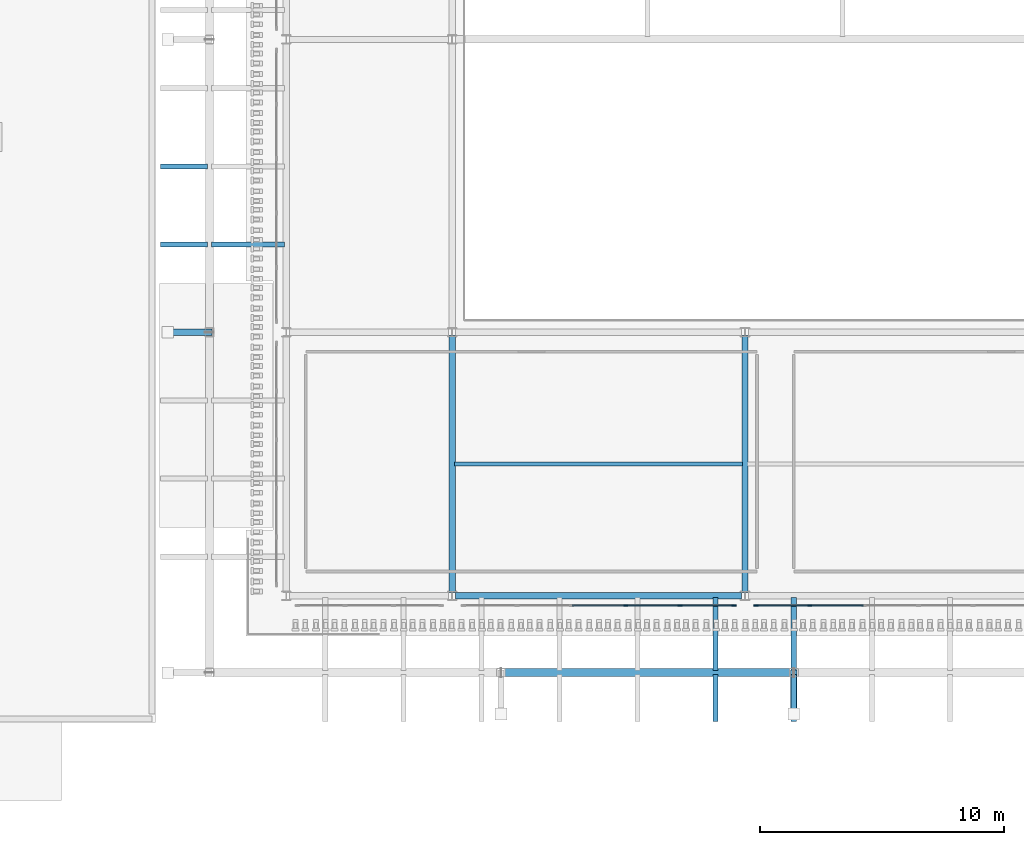
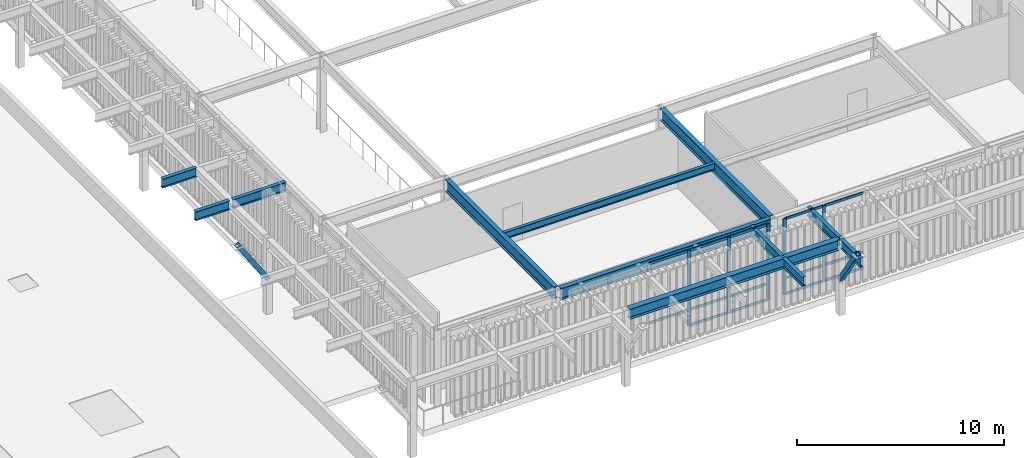
# One storey, part 43 of 126: 21 members, 12 beams, 2 elements without a shape of their own.
"""IFC4 building model written with IfcOpenShell, lengths in metres."""

import ifcopenshell
import ifcopenshell.guid

model = None  # the IFC model being written
_history = None  # IfcOwnerHistory: only IFC2X3 demands one
_inside = {}  # id of a spatial element -> (the spatial element, [elements in it])
_under = {}  # id of a project, library or spatial element -> (it, [spatial elements below it])
_declared = {}  # id of a project -> (the project, [libraries it declares])
_typed = {}  # id of a type object -> (the type object, [elements of that type])
_made_of = {}  # id of a material, layer set ... -> (it, [elements and type objects made of it])


def new_model(schema):
    """Start an empty IFC model of exactly this schema.

    Asked for "IFC4X3", IfcOpenShell would pick the latest addendum, in which some entities
    have other attributes; the version numbers below select the first issue.
    IFC2X3 requires an IfcOwnerHistory on every rooted entity: one is made here for all.
    """
    global model, _history
    if schema == "IFC4X3":
        model = ifcopenshell.file(schema_version=(4, 3, 0, 0))
    else:
        model = ifcopenshell.file(schema=schema)
    _inside.clear()
    _under.clear()
    _declared.clear()
    _typed.clear()
    _made_of.clear()
    _history = None
    if model.schema == "IFC2X3":
        org = make("IfcOrganization", Name="unknown")
        user = make(
            "IfcPersonAndOrganization",
            ThePerson=make("IfcPerson", FamilyName="unknown"),
            TheOrganization=org,
        )
        app = make(
            "IfcApplication",
            ApplicationDeveloper=org,
            Version="unknown",
            ApplicationFullName="unknown",
            ApplicationIdentifier="unknown",
        )
        _history = make(
            "IfcOwnerHistory",
            OwningUser=user,
            OwningApplication=app,
            ChangeAction="ADDED",
            CreationDate=0,
        )
    return model


def make(cls, **values):
    """One entity of the class cls with the attributes given. An attribute that is None is left unset."""
    return model.create_entity(
        cls, **{name: value for name, value in values.items() if value is not None}
    )


def rooted(cls, **values):
    """An entity with a GlobalId (a new one), such as an element, a storey or a relation."""
    return make(cls, GlobalId=ifcopenshell.guid.new(), OwnerHistory=_history, **values)


def si_unit(unit_type, name, prefix=None):
    """IfcSIUnit, for example si_unit("LENGTHUNIT", "METRE", prefix="MILLI")."""
    return make("IfcSIUnit", UnitType=unit_type, Prefix=prefix, Name=name)


def derived_unit(unit_type, elements):
    """IfcDerivedUnit: a product of units, each with its exponent."""
    return make(
        "IfcDerivedUnit",
        Elements=[
            make("IfcDerivedUnitElement", Unit=unit, Exponent=power)
            for unit, power in elements
        ],
        UnitType=unit_type,
    )


def assignment(units):
    """IfcUnitAssignment: the units of a project."""
    return None if units is None else make("IfcUnitAssignment", Units=units)


def point(xyz):
    """IfcCartesianPoint."""
    return None if xyz is None else make("IfcCartesianPoint", Coordinates=xyz)


def direction(xyz):
    """IfcDirection."""
    return None if xyz is None else make("IfcDirection", DirectionRatios=xyz)


def frame(location, z_axis=None, x_axis=None):
    """IfcAxis2Placement3D, a coordinate frame: its origin and axes. An axis left out is left unset."""
    return make(
        "IfcAxis2Placement3D",
        Location=point(location),
        Axis=direction(z_axis),
        RefDirection=direction(x_axis),
    )


def frame_2d(location, x_axis=None):
    """IfcAxis2Placement2D, a coordinate frame in the plane: its origin and x axis."""
    return make(
        "IfcAxis2Placement2D", Location=point(location), RefDirection=direction(x_axis)
    )


def origin():
    """The frame at (0, 0, 0) with its axes left unset."""
    return frame((0.0, 0.0, 0.0))


def origin_2d():
    """The frame at (0, 0) in the plane with its x axis left unset."""
    return frame_2d((0.0, 0.0))


def place(relative_to, where):
    """IfcLocalPlacement: puts the frame where relative to a parent placement (None: the world)."""
    return make(
        "IfcLocalPlacement", PlacementRelTo=relative_to, RelativePlacement=where
    )


def context(
    kind, dimensions, precision=None, world=None, true_north=None, identifier=None
):
    """IfcGeometricRepresentationContext, for example the 3D "Model" context."""
    return make(
        "IfcGeometricRepresentationContext",
        ContextIdentifier=identifier,
        ContextType=kind,
        CoordinateSpaceDimension=dimensions,
        Precision=precision,
        WorldCoordinateSystem=world,
        TrueNorth=true_north,
    )


def subcontext(parent, identifier, kind, view, scale=None):
    """IfcGeometricRepresentationSubContext, for example "Body" below "Model"."""
    return make(
        "IfcGeometricRepresentationSubContext",
        ContextIdentifier=identifier,
        ContextType=kind,
        ParentContext=parent,
        TargetScale=scale,
        TargetView=view,
    )


def project(units=None, contexts=None):
    """IfcProject with its units and contexts."""
    return rooted(
        "IfcProject",
        Name="project",
        RepresentationContexts=contexts,
        UnitsInContext=assignment(units),
    )


def spatial(cls, under=None, at=None, **own):
    """A site, building, storey or space (cls), placed at a placement, below another one or the project."""
    s = rooted(cls, ObjectPlacement=at, **own)
    if under is not None:
        _under.setdefault(under.id(), (under, []))[1].append(s)
    return s


def profile(cls, at=None, kind="AREA", **sizes):
    """A parametric profile (cls). Its sizes go by their IFC names, for example OverallWidth=200.0."""
    return make(cls, ProfileType=kind, Position=at, **sizes)


def rectangle(**sizes):
    """IfcRectangleProfileDef."""
    return profile("IfcRectangleProfileDef", **sizes)


def hollow_rectangle(**sizes):
    """IfcRectangleHollowProfileDef."""
    return profile("IfcRectangleHollowProfileDef", **sizes)


def i_section(**sizes):
    """IfcIShapeProfileDef."""
    return profile("IfcIShapeProfileDef", **sizes)


def extrude(swept, where, along, depth):
    """IfcExtrudedAreaSolid: the profile swept, set in the frame where, extruded along a direction by depth."""
    return make(
        "IfcExtrudedAreaSolid",
        SweptArea=swept,
        Position=where,
        ExtrudedDirection=direction(along),
        Depth=depth,
    )


def shape(context_of_items, identifier, shape_type, items):
    """IfcShapeRepresentation: the items that make up one representation, for example the "Body"."""
    return make(
        "IfcShapeRepresentation",
        ContextOfItems=context_of_items,
        RepresentationIdentifier=identifier,
        RepresentationType=shape_type,
        Items=items,
    )


def material(Name=None, Category=None):
    """IfcMaterial."""
    return make("IfcMaterial", Name=Name, Category=Category)


def layer(
    of_material, thickness, ventilated=None, Name=None, Category=None, Priority=None
):
    """IfcMaterialLayer: one layer of a wall or slab, of a material (None: an air gap)."""
    return make(
        "IfcMaterialLayer",
        Material=of_material,
        LayerThickness=thickness,
        IsVentilated=ventilated,
        Name=Name,
        Category=Category,
        Priority=Priority,
    )


def layer_set(layers, Name=None):
    """IfcMaterialLayerSet."""
    return make("IfcMaterialLayerSet", MaterialLayers=layers, LayerSetName=Name)


def material_profile(
    of_material, cross_section, Name=None, Category=None, Priority=None
):
    """IfcMaterialProfile: a cross section and its material."""
    return make(
        "IfcMaterialProfile",
        Name=Name,
        Material=of_material,
        Profile=cross_section,
        Priority=Priority,
        Category=Category,
    )


def profile_set(profiles, Name=None, composite=None):
    """IfcMaterialProfileSet."""
    return make(
        "IfcMaterialProfileSet",
        Name=Name,
        MaterialProfiles=profiles,
        CompositeProfile=composite,
    )


def made_of(thing, what):
    """Note that an element or type object is made of a material, layer set ...; save() writes the relation."""
    if what is not None:
        _made_of.setdefault(what.id(), (what, []))[1].append(thing)
    return thing


def type_object(cls, material=None, **own):
    """A type object (cls), such as IfcWallType, which elements share."""
    return made_of(rooted(cls, **own), material)


def element(
    cls,
    number,
    at=None,
    inside=None,
    cuts=None,
    type_object=None,
    material=None,
    context=None,
    identifier="Body",
    shape_type=None,
    held_by="IfcProductDefinitionShape",
    body=None,
    shapes=None,
    **own,
):
    """One element of the class cls, such as IfcWall. Its Tag is "e" and its number.

    at: its placement. inside: the storey or other place that contains it. cuts: it is an
    opening in that element (IfcRelVoidsElement). A single representation is given by context,
    identifier, shape_type and body (its items); several are given by shapes. held_by: the class
    of the entity that holds the representations. save() writes the other relations.
    """
    e = rooted(cls, Tag="e%d" % number, ObjectPlacement=at, **own)
    if body is not None:
        shapes = [shape(context, identifier, shape_type, body)]
    if shapes is not None:
        e.Representation = make(held_by, Representations=shapes)
    if inside is not None:
        _inside.setdefault(inside.id(), (inside, []))[1].append(e)
    if cuts is not None:
        rooted(
            "IfcRelVoidsElement", RelatingBuildingElement=cuts, RelatedOpeningElement=e
        )
    if type_object is not None:
        _typed.setdefault(type_object.id(), (type_object, []))[1].append(e)
    return made_of(e, material)


def aggregate(whole, parts):
    """IfcRelAggregates: a whole, such as a stair, and the parts it consists of."""
    return rooted("IfcRelAggregates", RelatingObject=whole, RelatedObjects=parts)


def save(model, path):
    """Write the relations noted so far, then the file.

    IfcRelAggregates (storeys below a building ...), IfcRelContainedInSpatialStructure (elements
    in a storey), IfcRelDefinesByType, IfcRelAssociatesMaterial and IfcRelDeclares: one each for
    every whole, place, type object, material and project.
    """
    for whole, parts in _under.values():
        aggregate(whole, parts)
    for where, things in _inside.values():
        rooted(
            "IfcRelContainedInSpatialStructure",
            RelatedElements=things,
            RelatingStructure=where,
        )
    for kind, things in _typed.values():
        rooted("IfcRelDefinesByType", RelatedObjects=things, RelatingType=kind)
    for what, things in _made_of.values():
        rooted("IfcRelAssociatesMaterial", RelatedObjects=things, RelatingMaterial=what)
    for by, libraries in _declared.values():
        rooted("IfcRelDeclares", RelatingContext=by, RelatedDefinitions=libraries)
    model.write(path)


model = new_model("IFC4")

# Units and contexts
model_context = context("Model", 3, precision=1e-05, world=origin(), true_north=direction((0.0, 1.0)))
body_context = subcontext(model_context, "Body", "Model", "MODEL_VIEW")
ifc_project = project(units=[si_unit("LENGTHUNIT", "METRE"), si_unit("AREAUNIT", "SQUARE_METRE"), si_unit("VOLUMEUNIT", "CUBIC_METRE"), si_unit("PLANEANGLEUNIT", "RADIAN"), si_unit("MASSUNIT", "GRAM", prefix="KILO"), derived_unit("THERMALTRANSMITTANCEUNIT", [(si_unit("MASSUNIT", "GRAM", prefix="KILO"), 1), (si_unit("TIMEUNIT", "SECOND"), -3), (si_unit("THERMODYNAMICTEMPERATUREUNIT", "KELVIN"), -1)])], contexts=[model_context])

# Site, building, storey
site_placement = place(None, origin())
site = spatial("IfcSite", under=ifc_project, at=site_placement, CompositionType="ELEMENT")
building_placement = place(site_placement, origin())
building = spatial("IfcBuilding", under=site, at=building_placement, Name="Valcora Ridge Arena", CompositionType="ELEMENT")
storey_placement = place(building_placement, frame((0.0, 0.0, 11.39990234375)))
storey = spatial("IfcBuildingStorey", under=building, at=storey_placement, Name="L02", CompositionType="ELEMENT", Elevation=11.39990234375)

# Beams
ifc_material_1 = material(Name="Steel ASTM A572 Grade 50", Category="steel")
ifc_material_profile_1 = material_profile(ifc_material_1, i_section(OverallWidth=0.324951171875, OverallDepth=0.612060546875, WebThickness=0.0126953125, FlangeThickness=0.01904296875, FilletRadius=0.01806640625, at=origin_2d()), Name="W24X104")
ifc_profile_set_1 = profile_set([ifc_material_profile_1], Name="Steel ASTM A572 Grade 50")
beam_type_1 = type_object("IfcBeamType", Name="TY-BEAM-G-COL-W24S", PredefinedType="BEAM", material=ifc_profile_set_1)
beam_1_placement = place(storey_placement, frame((146.159912109375, 2.050048828125, 4.174072265625), z_axis=(1.0, 0.0, 0.0), x_axis=(0.0, 1.0, 0.0)))
element("IfcBeam", 1, at=beam_1_placement, inside=storey, type_object=beam_type_1, Name="G-COL-W24S BEM-G-COL-W24S-0002", PredefinedType="BEAM", context=body_context, shape_type="SweptSolid", body=[
    extrude(i_section(OverallWidth=0.324951171875, OverallDepth=0.612060546875, WebThickness=0.0126953125, FlangeThickness=0.01904296875, FilletRadius=0.01806640625, at=origin_2d()), origin(), (0.0, 0.0, 1.0), 11.68017578125),
])
ifc_material_profile_2 = material_profile(ifc_material_1, i_section(OverallWidth=0.256103515625, OverallDepth=0.693115234375, WebThickness=0.014404296875, FlangeThickness=0.023681640625, FilletRadius=0.02001953125, at=origin_2d()), Name="W27X114")
ifc_profile_set_2 = profile_set([ifc_material_profile_2], Name="Steel ASTM A572 Grade 50")
beam_type_2 = type_object("IfcBeamType", Name="TY-BEAM-G-W27X114-Y", PredefinedType="BEAM", material=ifc_profile_set_2)
for number, where, z_axis, x_axis, name in (
    (2, (144.0, 5.340087890625, 4.133544921875), (0.0, 1.0, 0.0), (-1.0, 0.0, 0.0), "G-W27X114-Y BEM-G-W27X114-Y-0065"),
    (3, (156.0, 5.340087890625, 4.133544921875), (0.0, 1.0, 0.0), (-1.0, 0.0, 0.0), "G-W27X114-Y BEM-G-W27X114-Y-0071"),
):
    element("IfcBeam", number, at=place(storey_placement, frame(where, z_axis=z_axis, x_axis=x_axis)), inside=storey, type_object=beam_type_2, Name=name, PredefinedType="BEAM", context=body_context, shape_type="SweptSolid", body=[
        extrude(i_section(OverallWidth=0.256103515625, OverallDepth=0.693115234375, WebThickness=0.014404296875, FlangeThickness=0.023681640625, FilletRadius=0.02001953125, at=origin_2d()), origin(), (0.0, 0.0, 1.0), 10.52001953125),
    ])
ifc_material_profile_3 = material_profile(ifc_material_1, i_section(OverallWidth=0.177978515625, OverallDepth=0.406005859375, WebThickness=0.0078125, FlangeThickness=0.0126953125, FilletRadius=0.013916015625, at=origin_2d()), Name="W16X40")
ifc_profile_set_3 = profile_set([ifc_material_profile_3], Name="Steel ASTM A572 Grade 50")
beam_type_3 = type_object("IfcBeamType", Name="TY-BEAM-J-W16X40", PredefinedType="JOIST", material=ifc_profile_set_3)
beam_2_placement = place(storey_placement, frame((144.10009765625, 10.60009765625, 4.277099609375), z_axis=(1.0, 0.0, 0.0), x_axis=(0.0, 1.0, 0.0)))
element("IfcBeam", 4, at=beam_2_placement, inside=storey, type_object=beam_type_3, Name="J-W16X40 BEM-J-W16X40-0017", PredefinedType="JOIST", context=body_context, shape_type="SweptSolid", body=[
    extrude(i_section(OverallWidth=0.177978515625, OverallDepth=0.406005859375, WebThickness=0.0078125, FlangeThickness=0.0126953125, FilletRadius=0.013916015625, at=origin_2d()), origin(), (0.0, 0.0, 1.0), 11.7998046875),
])
ifc_material_profile_4 = material_profile(ifc_material_1, i_section(OverallWidth=0.208984375, OverallDepth=0.532958984375, WebThickness=0.01025390625, FlangeThickness=0.015625, FilletRadius=0.01611328125, at=origin_2d()), Name="W21X62")
ifc_profile_set_4 = profile_set([ifc_material_profile_4], Name="Steel ASTM A572 Grade 50")
beam_type_4 = type_object("IfcBeamType", Name="TY-BEAM-RAF-EAVE-W21", PredefinedType="BEAM", material=ifc_profile_set_4)
beam_3_placement = place(storey_placement, frame((134.1298828125, 19.60009765625, 4.213623046875), z_axis=(1.0, 0.0, 0.0), x_axis=(0.0, 1.0, 0.0)))
element("IfcBeam", 5, at=beam_3_placement, inside=storey, type_object=beam_type_4, Name="RAF-EAVE-W21 BEM-RAF-EAVE-W21-0004", PredefinedType="BEAM", context=body_context, shape_type="SweptSolid", body=[
    extrude(i_section(OverallWidth=0.208984375, OverallDepth=0.532958984375, WebThickness=0.01025390625, FlangeThickness=0.015625, FilletRadius=0.01611328125, at=origin_2d()), origin(), (0.0, 0.0, 1.0), 2.990234375),
])
ifc_material_profile_5 = material_profile(ifc_material_1, i_section(OverallWidth=0.208984375, OverallDepth=0.532958984375, WebThickness=0.01025390625, FlangeThickness=0.015625, FilletRadius=0.01611328125, at=origin_2d()), Name="W21X62")
ifc_profile_set_5 = profile_set([ifc_material_profile_5], Name="Steel ASTM A572 Grade 50")
beam_type_5 = type_object("IfcBeamType", Name="TY-BEAM-RAF-EAVE-W21S", PredefinedType="BEAM", material=ifc_profile_set_5)
for number, where, z_axis, x_axis, name in (
    (6, (154.800048828125, 2.1298828125, 4.213623046875), (0.0, 1.0, 0.0), (-1.0, 0.0, 0.0), "RAF-EAVE-W21S BEM-RAF-EAVE-W21S-0006"),
    (7, (158.0, 2.1298828125, 4.213623046875), (0.0, 1.0, 0.0), (-1.0, 0.0, 0.0), "RAF-EAVE-W21S BEM-RAF-EAVE-W21S-0007"),
):
    element("IfcBeam", number, at=place(storey_placement, frame(where, z_axis=z_axis, x_axis=x_axis)), inside=storey, type_object=beam_type_5, Name=name, PredefinedType="BEAM", context=body_context, shape_type="SweptSolid", body=[
        extrude(i_section(OverallWidth=0.208984375, OverallDepth=0.532958984375, WebThickness=0.01025390625, FlangeThickness=0.015625, FilletRadius=0.01611328125, at=origin_2d()), origin(), (0.0, 0.0, 1.0), 2.990234375),
    ])
ifc_material_profile_6 = material_profile(ifc_material_1, i_section(OverallWidth=0.208984375, OverallDepth=0.532958984375, WebThickness=0.01025390625, FlangeThickness=0.015625, FilletRadius=0.01611328125, at=origin_2d()), Name="W21X62")
ifc_profile_set_6 = profile_set([ifc_material_profile_6], Name="Steel ASTM A572 Grade 50")
beam_type_6 = type_object("IfcBeamType", Name="TY-BEAM-RAF-TIP-W21", PredefinedType="BEAM", material=ifc_profile_set_6)
for number, where, z_axis, x_axis, name in (
    (8, (132.050048828125, 19.60009765625, 4.213623046875), (1.0, 0.0, 0.0), (0.0, 1.0, 0.0), "RAF-TIP-W21 BEM-RAF-TIP-W21-0004"),
    (9, (132.050048828125, 22.800048828125, 4.213623046875), (1.0, 0.0, 0.0), (0.0, 1.0, 0.0), "RAF-TIP-W21 BEM-RAF-TIP-W21-0005"),
):
    element("IfcBeam", number, at=place(storey_placement, frame(where, z_axis=z_axis, x_axis=x_axis)), inside=storey, type_object=beam_type_6, Name=name, PredefinedType="BEAM", context=body_context, shape_type="SweptSolid", body=[
        extrude(i_section(OverallWidth=0.208984375, OverallDepth=0.532958984375, WebThickness=0.01025390625, FlangeThickness=0.015625, FilletRadius=0.01611328125, at=origin_2d()), origin(), (0.0, 0.0, 1.0), 1.919921875),
    ])
ifc_material_profile_7 = material_profile(ifc_material_1, i_section(OverallWidth=0.208984375, OverallDepth=0.532958984375, WebThickness=0.01025390625, FlangeThickness=0.015625, FilletRadius=0.01611328125, at=origin_2d()), Name="W21X62")
ifc_profile_set_7 = profile_set([ifc_material_profile_7], Name="Steel ASTM A572 Grade 50")
beam_type_7 = type_object("IfcBeamType", Name="TY-BEAM-RAF-TIP-W21S", PredefinedType="BEAM", material=ifc_profile_set_7)
for number, where, z_axis, x_axis, name in (
    (10, (154.800048828125, 0.050048828125, 4.213623046875), (0.0, 1.0, 0.0), (-1.0, 0.0, 0.0), "RAF-TIP-W21S BEM-RAF-TIP-W21S-0006"),
    (11, (158.0, 0.050048828125, 4.213623046875), (0.0, 1.0, 0.0), (-1.0, 0.0, 0.0), "RAF-TIP-W21S BEM-RAF-TIP-W21S-0007"),
):
    element("IfcBeam", number, at=place(storey_placement, frame(where, z_axis=z_axis, x_axis=x_axis)), inside=storey, type_object=beam_type_7, Name=name, PredefinedType="BEAM", context=body_context, shape_type="SweptSolid", body=[
        extrude(i_section(OverallWidth=0.208984375, OverallDepth=0.532958984375, WebThickness=0.01025390625, FlangeThickness=0.015625, FilletRadius=0.01611328125, at=origin_2d()), origin(), (0.0, 0.0, 1.0), 1.919921875),
    ])
ifc_material_profile_8 = material_profile(ifc_material_1, i_section(OverallWidth=0.256103515625, OverallDepth=0.693115234375, WebThickness=0.014404296875, FlangeThickness=0.023681640625, FilletRadius=0.02001953125, at=origin_2d()), Name="W27X114")
ifc_profile_set_8 = profile_set([ifc_material_profile_8], Name="Steel ASTM A572 Grade 50")
beam_type_8 = type_object("IfcBeamType", Name="TY-BEAM-SP-W27X114", PredefinedType="SPANDREL", material=ifc_profile_set_8)
beam_4_placement = place(storey_placement, frame((144.139892578125, 5.199951171875, 4.133544921875), z_axis=(1.0, 0.0, 0.0), x_axis=(0.0, 1.0, 0.0)))
element("IfcBeam", 12, at=beam_4_placement, inside=storey, type_object=beam_type_8, Name="SP-W27X114 BEM-SP-W27X114-0022", PredefinedType="SPANDREL", context=body_context, shape_type="SweptSolid", body=[
    extrude(i_section(OverallWidth=0.256103515625, OverallDepth=0.693115234375, WebThickness=0.014404296875, FlangeThickness=0.023681640625, FilletRadius=0.02001953125, at=origin_2d()), origin(), (0.0, 0.0, 1.0), 11.72021484375),
])

# Curtain wall, members
ifc_material_2 = material(Name="Anodised dark bronze architectural aluminium 6063-T6", Category="aluminium")
ifc_layer = layer(ifc_material_2, 0.179931640625, Name="Anodised dark bronze architectural aluminium 6063-T6")
ifc_layer_set = layer_set([ifc_layer], Name="Anodised dark bronze architectural aluminium 6063-T6")
curtain_wall_type = type_object("IfcCurtainWallType", Name="TY-CURTAINWALL-CW-V2-GLAZ-111X45", PredefinedType="NOTDEFINED", material=ifc_layer_set)
curtain_wall_1_placement = place(storey_placement, origin())
curtain_wall_1 = element("IfcCurtainWall", 13, at=curtain_wall_1_placement, inside=storey, type_object=curtain_wall_type, Name="CW-V2-GLAZ-111X45 CW-0067", PredefinedType="NOTDEFINED")
ifc_material_profile_9 = material_profile(ifc_material_2, rectangle(XDim=0.06005859375, YDim=0.179931640625, at=origin_2d()), Name="ALU MULLION 60x180")
ifc_profile_set_9 = profile_set([ifc_material_profile_9], Name="Anodised dark bronze architectural aluminium 6063-T6")
member_type_1 = type_object("IfcMemberType", Name="TY-MEM-CWM-60x180", PredefinedType="MULLION", material=ifc_profile_set_9)
member_1_placement = place(storey_placement, frame((151.114501953125, 4.800048828125, 0.0), z_axis=(0.0, 0.0, 1.0), x_axis=(0.0, 1.0, 0.0)))
member_1 = element("IfcMember", 14, at=member_1_placement, type_object=member_type_1, Name="CW-0067/CWM-60x180/M03", PredefinedType="MULLION", context=body_context, shape_type="SweptSolid", body=[
    extrude(rectangle(XDim=0.06005859375, YDim=0.179931640625, at=origin_2d()), origin(), (0.0, 0.0, 1.0), 4.47998046875),
])
member_2_placement = place(storey_placement, frame((153.34375, 4.800048828125, 0.0), z_axis=(0.0, 0.0, 1.0), x_axis=(0.0, 1.0, 0.0)))
member_2 = element("IfcMember", 15, at=member_2_placement, type_object=member_type_1, Name="CW-0067/CWM-60x180/M04", PredefinedType="MULLION", context=body_context, shape_type="SweptSolid", body=[
    extrude(rectangle(XDim=0.06005859375, YDim=0.179931640625, at=origin_2d()), origin(), (0.0, 0.0, 1.0), 4.47998046875),
])
member_3_placement = place(storey_placement, frame((155.54296875, 4.800048828125, 0.0), z_axis=(0.0, 0.0, 1.0), x_axis=(0.0, 1.0, 0.0)))
member_3 = element("IfcMember", 16, at=member_3_placement, type_object=member_type_1, Name="CW-0067/CWM-60x180/M05", PredefinedType="MULLION", context=body_context, shape_type="SweptSolid", body=[
    extrude(rectangle(XDim=0.06005859375, YDim=0.179931640625, at=origin_2d()), origin(), (0.0, 0.0, 1.0), 4.47998046875),
])

curtain_wall_2_placement = place(storey_placement, origin())
curtain_wall_2 = element("IfcCurtainWall", 17, at=curtain_wall_2_placement, inside=storey, type_object=curtain_wall_type, Name="CW-V2-GLAZ-111X45 CW-0068", PredefinedType="NOTDEFINED")
member_4_placement = place(storey_placement, frame((156.45703125, 4.800048828125, 0.0), z_axis=(0.0, 0.0, 1.0), x_axis=(0.0, 1.0, 0.0)))
member_4 = element("IfcMember", 18, at=member_4_placement, type_object=member_type_1, Name="CW-0068/CWM-60x180/M00", PredefinedType="MULLION", context=body_context, shape_type="SweptSolid", body=[
    extrude(rectangle(XDim=0.06005859375, YDim=0.179931640625, at=origin_2d()), origin(), (0.0, 0.0, 1.0), 4.47998046875),
])
member_5_placement = place(storey_placement, frame((158.65625, 4.800048828125, 0.0), z_axis=(0.0, 0.0, 1.0), x_axis=(0.0, 1.0, 0.0)))
member_5 = element("IfcMember", 19, at=member_5_placement, type_object=member_type_1, Name="CW-0068/CWM-60x180/M01", PredefinedType="MULLION", context=body_context, shape_type="SweptSolid", body=[
    extrude(rectangle(XDim=0.06005859375, YDim=0.179931640625, at=origin_2d()), origin(), (0.0, 0.0, 1.0), 4.47998046875),
])

# Member
ifc_material_profile_10 = material_profile(ifc_material_2, rectangle(XDim=0.050048828125, YDim=0.14990234375, at=origin_2d()), Name="ALU TRANSOM 50x150")
ifc_profile_set_10 = profile_set([ifc_material_profile_10], Name="Anodised dark bronze architectural aluminium 6063-T6")
member_type_2 = type_object("IfcMemberType", Name="TY-MEM-CWT-50x150", PredefinedType="USERDEFINED", material=ifc_profile_set_10)
member_6_placement = place(storey_placement, frame((148.9150390625, 4.800048828125, 0.9501953125), z_axis=(1.0, 0.0, 0.0), x_axis=(0.0, 1.0, 0.0)))
member_6 = element("IfcMember", 20, at=member_6_placement, type_object=member_type_2, Name="CW-0067/CWT-50x150/T02-01", ObjectType="TRANSOM", PredefinedType="USERDEFINED", context=body_context, shape_type="SweptSolid", body=[
    extrude(rectangle(XDim=0.050048828125, YDim=0.14990234375, at=origin_2d()), origin(), (0.0, 0.0, 1.0), 2.169921875),
])

member_7_placement = place(storey_placement, frame((148.9150390625, 4.800048828125, 4.455078125), z_axis=(1.0, 0.0, 0.0), x_axis=(0.0, 1.0, 0.0)))
member_7 = element("IfcMember", 21, at=member_7_placement, type_object=member_type_2, Name="CW-0067/CWT-50x150/T02-02", ObjectType="TRANSOM", PredefinedType="USERDEFINED", context=body_context, shape_type="SweptSolid", body=[
    extrude(rectangle(XDim=0.050048828125, YDim=0.14990234375, at=origin_2d()), origin(), (0.0, 0.0, 1.0), 2.169921875),
])

member_8_placement = place(storey_placement, frame((151.14501953125, 4.800048828125, 0.025146484375), z_axis=(1.0, 0.0, 0.0), x_axis=(0.0, 1.0, 0.0)))
member_8 = element("IfcMember", 22, at=member_8_placement, type_object=member_type_2, Name="CW-0067/CWT-50x150/T03-00", ObjectType="TRANSOM", PredefinedType="USERDEFINED", context=body_context, shape_type="SweptSolid", body=[
    extrude(rectangle(XDim=0.050048828125, YDim=0.14990234375, at=origin_2d()), origin(), (0.0, 0.0, 1.0), 2.1689453125),
])

member_9_placement = place(storey_placement, frame((151.14501953125, 4.800048828125, 0.9501953125), z_axis=(1.0, 0.0, 0.0), x_axis=(0.0, 1.0, 0.0)))
member_9 = element("IfcMember", 23, at=member_9_placement, type_object=member_type_2, Name="CW-0067/CWT-50x150/T03-01", ObjectType="TRANSOM", PredefinedType="USERDEFINED", context=body_context, shape_type="SweptSolid", body=[
    extrude(rectangle(XDim=0.050048828125, YDim=0.14990234375, at=origin_2d()), origin(), (0.0, 0.0, 1.0), 2.1689453125),
])

member_10_placement = place(storey_placement, frame((151.14501953125, 4.800048828125, 4.455078125), z_axis=(1.0, 0.0, 0.0), x_axis=(0.0, 1.0, 0.0)))
member_10 = element("IfcMember", 24, at=member_10_placement, type_object=member_type_2, Name="CW-0067/CWT-50x150/T03-02", ObjectType="TRANSOM", PredefinedType="USERDEFINED", context=body_context, shape_type="SweptSolid", body=[
    extrude(rectangle(XDim=0.050048828125, YDim=0.14990234375, at=origin_2d()), origin(), (0.0, 0.0, 1.0), 2.1689453125),
])

member_11_placement = place(storey_placement, frame((153.3740234375, 4.800048828125, 0.025146484375), z_axis=(1.0, 0.0, 0.0), x_axis=(0.0, 1.0, 0.0)))
member_11 = element("IfcMember", 25, at=member_11_placement, type_object=member_type_2, Name="CW-0067/CWT-50x150/T04-00", ObjectType="TRANSOM", PredefinedType="USERDEFINED", context=body_context, shape_type="SweptSolid", body=[
    extrude(rectangle(XDim=0.050048828125, YDim=0.14990234375, at=origin_2d()), origin(), (0.0, 0.0, 1.0), 2.138916015625),
])

member_12_placement = place(storey_placement, frame((153.3740234375, 4.800048828125, 0.9501953125), z_axis=(1.0, 0.0, 0.0), x_axis=(0.0, 1.0, 0.0)))
member_12 = element("IfcMember", 26, at=member_12_placement, type_object=member_type_2, Name="CW-0067/CWT-50x150/T04-01", ObjectType="TRANSOM", PredefinedType="USERDEFINED", context=body_context, shape_type="SweptSolid", body=[
    extrude(rectangle(XDim=0.050048828125, YDim=0.14990234375, at=origin_2d()), origin(), (0.0, 0.0, 1.0), 2.138916015625),
])

member_13_placement = place(storey_placement, frame((153.3740234375, 4.800048828125, 4.455078125), z_axis=(1.0, 0.0, 0.0), x_axis=(0.0, 1.0, 0.0)))
member_13 = element("IfcMember", 27, at=member_13_placement, type_object=member_type_2, Name="CW-0067/CWT-50x150/T04-02", ObjectType="TRANSOM", PredefinedType="USERDEFINED", context=body_context, shape_type="SweptSolid", body=[
    extrude(rectangle(XDim=0.050048828125, YDim=0.14990234375, at=origin_2d()), origin(), (0.0, 0.0, 1.0), 2.138916015625),
])

aggregate(curtain_wall_1, [member_1, member_2, member_3, member_6, member_7, member_8, member_9, member_10, member_11, member_12, member_13])

member_14_placement = place(storey_placement, frame((156.487060546875, 4.800048828125, 0.025146484375), z_axis=(1.0, 0.0, 0.0), x_axis=(0.0, 1.0, 0.0)))
member_14 = element("IfcMember", 28, at=member_14_placement, type_object=member_type_2, Name="CW-0068/CWT-50x150/T00-00", ObjectType="TRANSOM", PredefinedType="USERDEFINED", context=body_context, shape_type="SweptSolid", body=[
    extrude(rectangle(XDim=0.050048828125, YDim=0.14990234375, at=origin_2d()), origin(), (0.0, 0.0, 1.0), 2.138916015625),
])

member_15_placement = place(storey_placement, frame((156.487060546875, 4.800048828125, 0.9501953125), z_axis=(1.0, 0.0, 0.0), x_axis=(0.0, 1.0, 0.0)))
member_15 = element("IfcMember", 29, at=member_15_placement, type_object=member_type_2, Name="CW-0068/CWT-50x150/T00-01", ObjectType="TRANSOM", PredefinedType="USERDEFINED", context=body_context, shape_type="SweptSolid", body=[
    extrude(rectangle(XDim=0.050048828125, YDim=0.14990234375, at=origin_2d()), origin(), (0.0, 0.0, 1.0), 2.138916015625),
])

member_16_placement = place(storey_placement, frame((156.487060546875, 4.800048828125, 4.455078125), z_axis=(1.0, 0.0, 0.0), x_axis=(0.0, 1.0, 0.0)))
member_16 = element("IfcMember", 30, at=member_16_placement, type_object=member_type_2, Name="CW-0068/CWT-50x150/T00-02", ObjectType="TRANSOM", PredefinedType="USERDEFINED", context=body_context, shape_type="SweptSolid", body=[
    extrude(rectangle(XDim=0.050048828125, YDim=0.14990234375, at=origin_2d()), origin(), (0.0, 0.0, 1.0), 2.138916015625),
])

member_17_placement = place(storey_placement, frame((158.68603515625, 4.800048828125, 0.025146484375), z_axis=(1.0, 0.0, 0.0), x_axis=(0.0, 1.0, 0.0)))
member_17 = element("IfcMember", 31, at=member_17_placement, type_object=member_type_2, Name="CW-0068/CWT-50x150/T01-00", ObjectType="TRANSOM", PredefinedType="USERDEFINED", context=body_context, shape_type="SweptSolid", body=[
    extrude(rectangle(XDim=0.050048828125, YDim=0.14990234375, at=origin_2d()), origin(), (0.0, 0.0, 1.0), 2.1689453125),
])

member_18_placement = place(storey_placement, frame((158.68603515625, 4.800048828125, 0.9501953125), z_axis=(1.0, 0.0, 0.0), x_axis=(0.0, 1.0, 0.0)))
member_18 = element("IfcMember", 32, at=member_18_placement, type_object=member_type_2, Name="CW-0068/CWT-50x150/T01-01", ObjectType="TRANSOM", PredefinedType="USERDEFINED", context=body_context, shape_type="SweptSolid", body=[
    extrude(rectangle(XDim=0.050048828125, YDim=0.14990234375, at=origin_2d()), origin(), (0.0, 0.0, 1.0), 2.1689453125),
])

member_19_placement = place(storey_placement, frame((158.68603515625, 4.800048828125, 4.455078125), z_axis=(1.0, 0.0, 0.0), x_axis=(0.0, 1.0, 0.0)))
member_19 = element("IfcMember", 33, at=member_19_placement, type_object=member_type_2, Name="CW-0068/CWT-50x150/T01-02", ObjectType="TRANSOM", PredefinedType="USERDEFINED", context=body_context, shape_type="SweptSolid", body=[
    extrude(rectangle(XDim=0.050048828125, YDim=0.14990234375, at=origin_2d()), origin(), (0.0, 0.0, 1.0), 2.1689453125),
])

aggregate(curtain_wall_2, [member_4, member_5, member_14, member_15, member_16, member_17, member_18, member_19])

# Members
ifc_material_3 = material(Name="Steel ASTM A500 Grade C", Category="steel")
ifc_material_profile_11 = material_profile(ifc_material_3, hollow_rectangle(XDim=0.25, YDim=0.25, WallThickness=0.012451171875, at=origin_2d()), Name="HSS250X250X12")
ifc_profile_set_11 = profile_set([ifc_material_profile_11], Name="Steel ASTM A500 Grade C")
member_type_3 = type_object("IfcMemberType", Name="TY-MEMBER-KBG-250", PredefinedType="BRACE", material=ifc_profile_set_11)
member_20_placement = place(storey_placement, frame((134.050048828125, 16.0, 2.0), z_axis=(-0.55317758564, 0.0, 0.833063358182), x_axis=(0.0, -1.0, 0.0)))
element("IfcMember", 34, at=member_20_placement, inside=storey, type_object=member_type_3, Name="KBG-250 Knee Brace", PredefinedType="BRACE", context=body_context, shape_type="SweptSolid", body=[
    extrude(hollow_rectangle(XDim=0.25, YDim=0.25, WallThickness=0.012451171875, at=origin_2d()), origin(), (0.0, 0.0, 1.0), 3.072998046875),
])
ifc_material_profile_12 = material_profile(ifc_material_3, hollow_rectangle(XDim=0.25, YDim=0.25, WallThickness=0.012451171875, at=origin_2d()), Name="HSS250X250X12")
ifc_profile_set_12 = profile_set([ifc_material_profile_12], Name="Steel ASTM A500 Grade C")
member_type_4 = type_object("IfcMemberType", Name="TY-MEMBER-KBG-250S", PredefinedType="BRACE", material=ifc_profile_set_12)
member_21_placement = place(storey_placement, frame((158.0, 2.050048828125, 2.0), z_axis=(0.0, -0.55317758564, 0.833063358182), x_axis=(1.0, 0.0, 0.0)))
element("IfcMember", 35, at=member_21_placement, inside=storey, type_object=member_type_4, Name="KBG-250S Knee Brace", PredefinedType="BRACE", context=body_context, shape_type="SweptSolid", body=[
    extrude(hollow_rectangle(XDim=0.25, YDim=0.25, WallThickness=0.012451171875, at=origin_2d()), origin(), (0.0, 0.0, 1.0), 3.072998046875),
])

save(model, "model.ifc")
